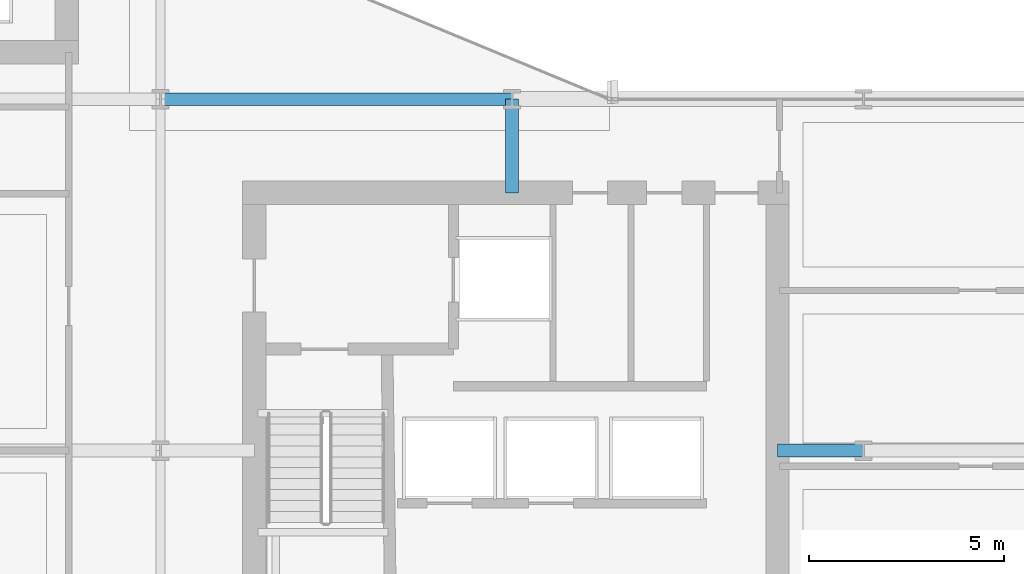
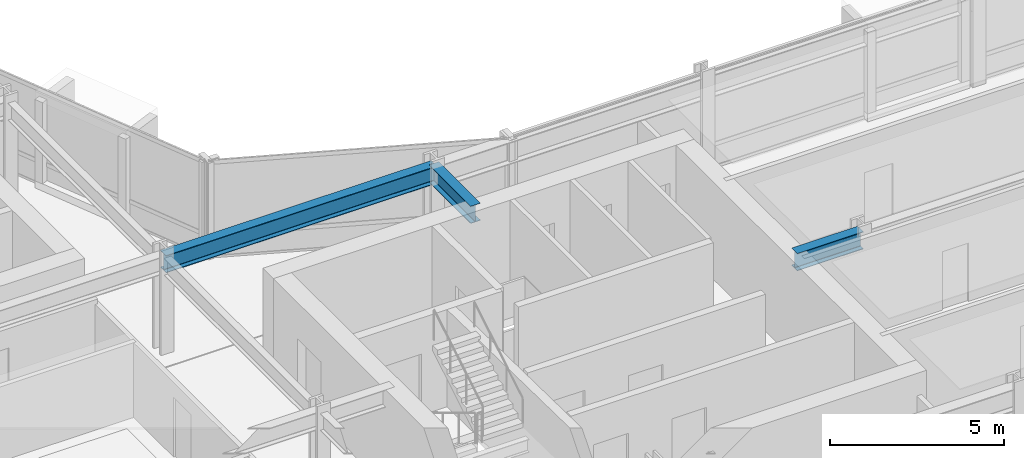
# One storey, part 14 of 34: 3 beams.
"""IFC4 building model written with IfcOpenShell, lengths in metres."""

from ifc_helpers import new_model, si_unit, direction, frame, origin, origin_2d, place, context, subcontext, project, spatial, i_section, extrude, material, material_profile, profile_set, type_object, element, save


model = new_model("IFC4")

# Units and contexts
model_context = context("Model", 3, precision=1e-05, world=origin(), true_north=direction((0.0, 1.0)))
body_context = subcontext(model_context, "Body", "Model", "MODEL_VIEW")
ifc_project = project(units=[si_unit("LENGTHUNIT", "METRE"), si_unit("AREAUNIT", "SQUARE_METRE"), si_unit("VOLUMEUNIT", "CUBIC_METRE"), si_unit("PLANEANGLEUNIT", "RADIAN"), si_unit("MASSUNIT", "GRAM", prefix="KILO")], contexts=[model_context])

# Site, building, storey
site_placement = place(None, origin())
site = spatial("IfcSite", under=ifc_project, at=site_placement, CompositionType="ELEMENT")
building_placement = place(site_placement, origin())
building = spatial("IfcBuilding", under=site, at=building_placement, Name="Solvaryn Broadcast Tower", CompositionType="ELEMENT")
storey_placement = place(building_placement, frame((0.0, 0.0, 50.800048828125)))
storey = spatial("IfcBuildingStorey", under=building, at=storey_placement, Name="L11", CompositionType="ELEMENT", Elevation=50.800048828125)

# Beams
ifc_material = material(Name="Steel ASTM A992 Grade 50", Category="steel")
ifc_material_profile = material_profile(ifc_material, i_section(OverallWidth=0.323974609375, OverallDepth=0.611083984375, WebThickness=0.0126953125, FlangeThickness=0.01904296875, FilletRadius=0.014892578125, at=origin_2d()))
ifc_profile_set = profile_set([ifc_material_profile], Name="Steel ASTM A992 Grade 50")
beam_type = type_object("IfcBeamType", Name="BM-B1-W24X104", PredefinedType="BEAM", material=ifc_profile_set)
beam_1_placement = place(storey_placement, frame((27.0, 27.0, 3.114501953125), z_axis=(1.0, 0.0, 0.0), x_axis=(0.0, 1.0, 0.0)))
element("IfcBeam", 1, at=beam_1_placement, inside=storey, type_object=beam_type, Name="L11 Primary Beam X (27-36 @ Y=27)", PredefinedType="BEAM", context=body_context, shape_type="SweptSolid", body=[
    extrude(i_section(OverallWidth=0.323974609375, OverallDepth=0.611083984375, WebThickness=0.0126953125, FlangeThickness=0.01904296875, FilletRadius=0.014892578125, at=origin_2d()), origin(), (0.0, 0.0, 1.0), 9.0),
])
beam_2_placement = place(storey_placement, frame((36.0, 24.60009765625, 3.114501953125), z_axis=(0.0, 1.0, 0.0), x_axis=(-1.0, 0.0, 0.0)))
element("IfcBeam", 2, at=beam_2_placement, inside=storey, type_object=beam_type, Name="L11 Core Tie Beam CTE2", PredefinedType="BEAM", context=body_context, shape_type="SweptSolid", body=[
    extrude(i_section(OverallWidth=0.323974609375, OverallDepth=0.611083984375, WebThickness=0.0126953125, FlangeThickness=0.01904296875, FilletRadius=0.014892578125, at=origin_2d()), origin(), (0.0, 0.0, 1.0), 2.39990234375),
])
beam_3_placement = place(storey_placement, frame((42.800048828125, 18.0, 3.114501953125), z_axis=(1.0, 0.0, 0.0), x_axis=(0.0, 1.0, 0.0)))
element("IfcBeam", 3, at=beam_3_placement, inside=storey, type_object=beam_type, Name="L11 Core Tie Beam CTE3", PredefinedType="BEAM", context=body_context, shape_type="SweptSolid", body=[
    extrude(i_section(OverallWidth=0.323974609375, OverallDepth=0.611083984375, WebThickness=0.0126953125, FlangeThickness=0.01904296875, FilletRadius=0.014892578125, at=origin_2d()), origin(), (0.0, 0.0, 1.0), 2.199951171875),
])

save(model, "model.ifc")
